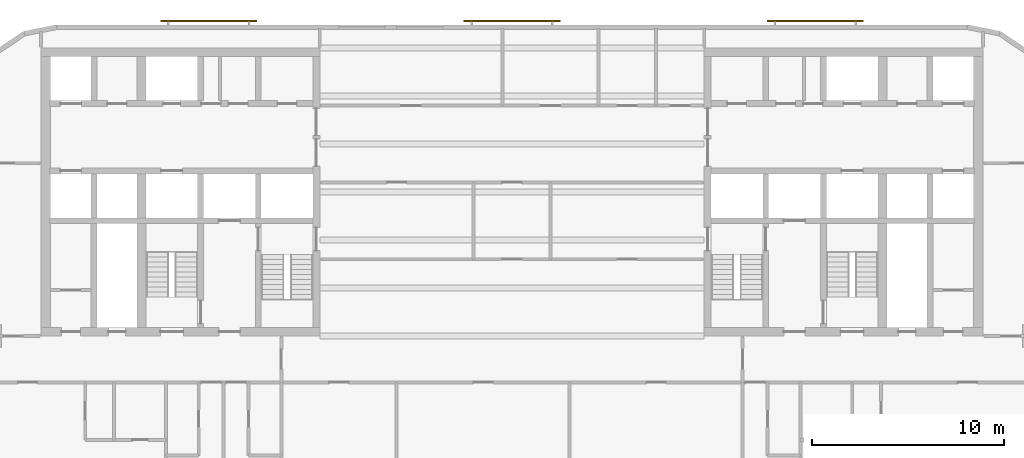
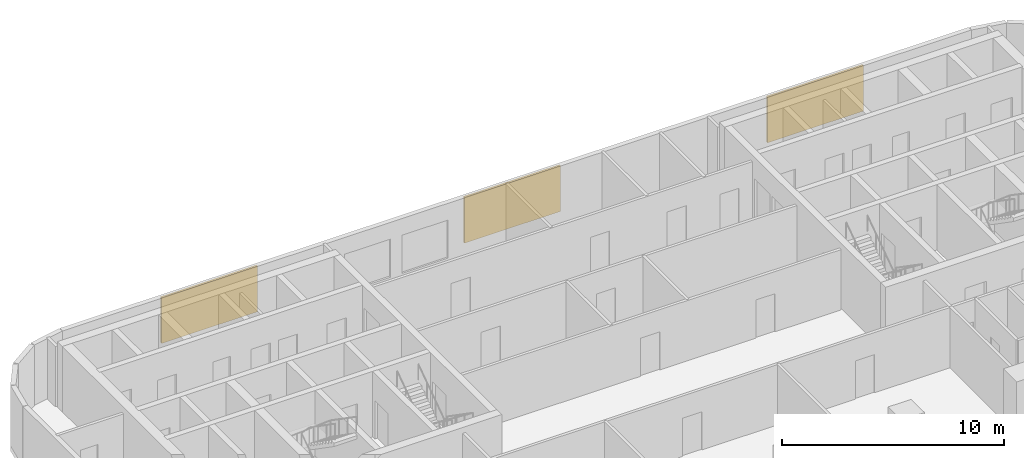
# One storey, part 10 of 11: 3 shading devices.
"""IFC4 building model written with IfcOpenShell, lengths in metres."""

from ifc_helpers import new_model, si_unit, direction, frame, origin, origin_2d, place, context, subcontext, project, spatial, rectangle, extrude, material, layer, layer_set, type_object, element, save


model = new_model("IFC4")

# Units and contexts
model_context = context("Model", 3, precision=1e-05, world=origin(), true_north=direction((0.0, 1.0)))
body_context = subcontext(model_context, "Body", "Model", "MODEL_VIEW")
ifc_project = project(units=[si_unit("LENGTHUNIT", "METRE"), si_unit("AREAUNIT", "SQUARE_METRE"), si_unit("VOLUMEUNIT", "CUBIC_METRE"), si_unit("PLANEANGLEUNIT", "RADIAN"), si_unit("MASSUNIT", "GRAM", prefix="KILO")], contexts=[model_context])

# Site, building, storey
site_placement = place(None, origin())
site = spatial("IfcSite", under=ifc_project, at=site_placement, CompositionType="ELEMENT")
building_placement = place(site_placement, origin())
building = spatial("IfcBuilding", under=site, at=building_placement, Name="Torana Hotel and Residences", CompositionType="ELEMENT")
storey_placement = place(building_placement, frame((0.0, 0.0, 138.0)))
storey = spatial("IfcBuildingStorey", under=building, at=storey_placement, Name="L35", CompositionType="ELEMENT", Elevation=138.0)

# Shading devices
ifc_material = material(Name="Concrete C40/50 precast", Category="concrete")
ifc_layer = layer(ifc_material, 0.10009765625)
ifc_layer_set = layer_set([ifc_layer], Name="SC1 PERFORATED BLOCK SCREEN PANEL 100")
shading_device_type = type_object("IfcShadingDeviceType", Name="SC1 PERFORATED BLOCK SCREEN PANEL 100", PredefinedType="USERDEFINED", material=ifc_layer_set)
for number, where, z_axis, x_axis, name in (
    (1, (15.78369140625, 1.39990234375, 0.5), (0.0, 0.0, 1.0), (-1.0, 0.0, 0.0), "Perforated block screen L35"),
    (2, (0.0, 1.39990234375, 0.5), (0.0, 0.0, 1.0), (-1.0, 0.0, 0.0), "Perforated block screen L35"),
    (3, (-15.78369140625, 1.39990234375, 0.5), (0.0, 0.0, 1.0), (-1.0, 0.0, 0.0), "Perforated block screen L35"),
):
    element("IfcShadingDevice", number, at=place(storey_placement, frame(where, z_axis=z_axis, x_axis=x_axis)), inside=storey, type_object=shading_device_type, Name=name, ObjectType="SCREEN", PredefinedType="USERDEFINED", context=body_context, shape_type="SweptSolid", body=[
        extrude(rectangle(XDim=5.0, YDim=0.10009765625, at=origin_2d()), origin(), (0.0, 0.0, 1.0), 2.52001953125),
    ])

save(model, "model.ifc")
